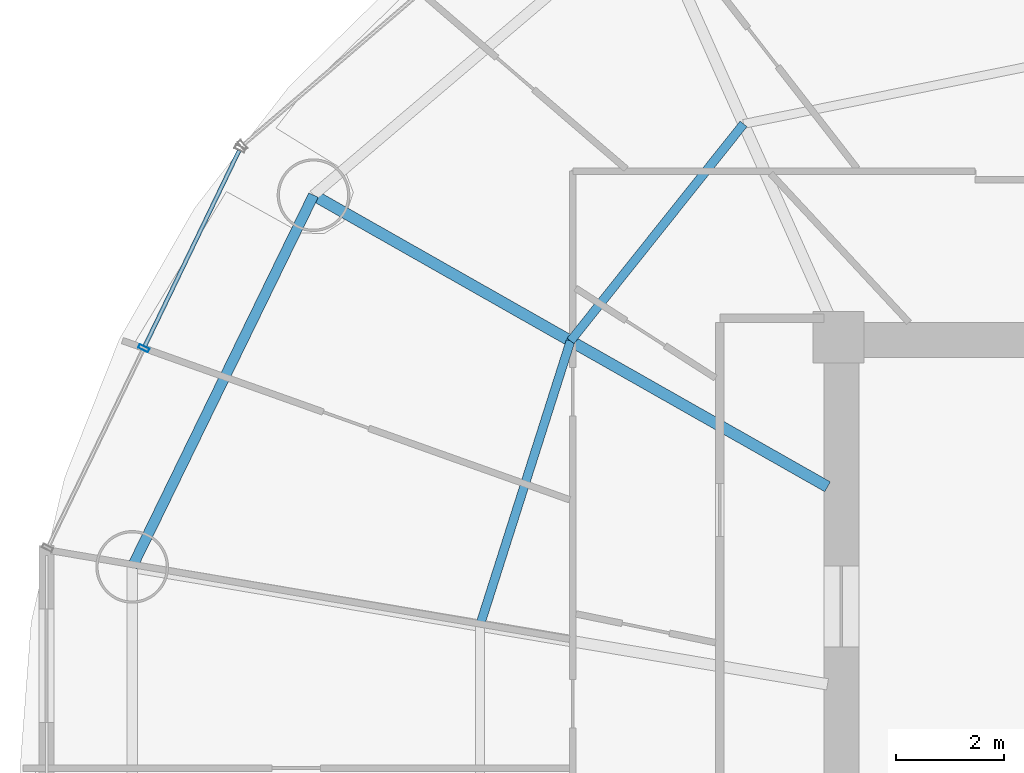
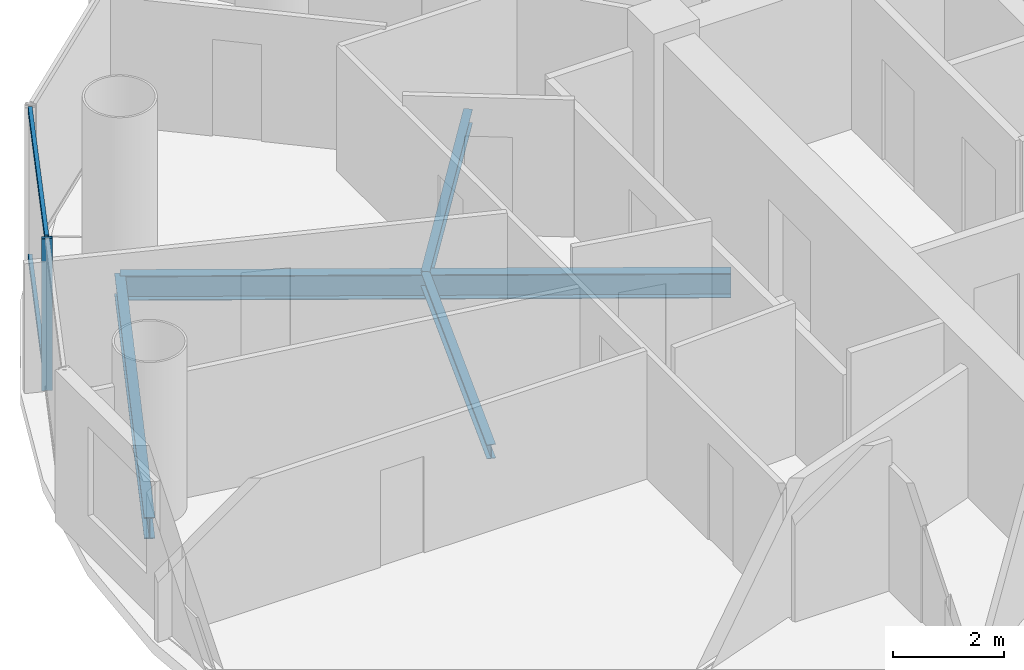
# One storey, part 7 of 27: 4 beams, 3 members, 1 element without a shape of its own.
"""IFC4 building model written with IfcOpenShell, lengths in metres."""

from ifc_helpers import new_model, si_unit, direction, frame, origin, origin_2d, place, context, subcontext, project, spatial, hollow_rectangle, i_section, extrude, source, transform, mapped, material, material_profile, profile_set, type_object, element, aggregate, save


model = new_model("IFC4")

# Units and contexts
model_context = context("Model", 3, precision=1e-05, world=origin(), true_north=direction((-0.2419218956, 0.970295726276)))
body_context = subcontext(model_context, "Body", "Model", "MODEL_VIEW")
ifc_project = project(units=[si_unit("LENGTHUNIT", "METRE"), si_unit("AREAUNIT", "SQUARE_METRE"), si_unit("VOLUMEUNIT", "CUBIC_METRE"), si_unit("PLANEANGLEUNIT", "RADIAN"), si_unit("MASSUNIT", "GRAM", prefix="KILO")], contexts=[model_context])

# Site, building, storey
site_placement = place(None, origin())
site = spatial("IfcSite", under=ifc_project, at=site_placement, CompositionType="ELEMENT")
building_placement = place(site_placement, origin())
building = spatial("IfcBuilding", under=site, at=building_placement, Name="Cobrevalo Terracotta Tower", CompositionType="ELEMENT")
storey_placement = place(building_placement, frame((0.0, 0.0, 153.39990234375)))
storey = spatial("IfcBuildingStorey", under=building, at=storey_placement, Name="L40", CompositionType="ELEMENT", Elevation=153.39990234375)

# Beams
ifc_material_1 = material(Name="Steel S355", Category="steel")
ifc_material_profile_1 = material_profile(ifc_material_1, i_section(OverallWidth=0.2109375, OverallDepth=0.5390625, WebThickness=0.01171875, FlangeThickness=0.018798828125, at=origin_2d()), Name="W 530x109")
ifc_profile_set_1 = profile_set([ifc_material_profile_1], Name="Steel S355")
beam_type_1 = type_object("IfcBeamType", Name="Structural Beam W 530x109 (Steel S355)", PredefinedType="BEAM", material=ifc_profile_set_1)
beam_1_placement = place(storey_placement, frame((19.250244140625, 37.439208984375, -0.539306640625), z_axis=(0.869734177783, -0.493520475762, 0.0), x_axis=(0.493520475762, 0.869734177783, 0.0)))
element("IfcBeam", 1, at=beam_1_placement, inside=storey, type_object=beam_type_1, Name="L40 radial floor girder 07", PredefinedType="BEAM", context=body_context, shape_type="SweptSolid", body=[
    extrude(i_section(OverallWidth=0.2109375, OverallDepth=0.5390625, WebThickness=0.01171875, FlangeThickness=0.018798828125, at=origin_2d()), origin(), (0.0, 0.0, 1.0), 10.974365234375),
])
ifc_material_profile_2 = material_profile(ifc_material_1, i_section(OverallWidth=0.1650390625, OverallDepth=0.31005859375, WebThickness=0.005859375, FlangeThickness=0.009765625, at=origin_2d()), Name="W 310x38.7")
ifc_profile_set_2 = profile_set([ifc_material_profile_2], Name="Steel S355")
beam_type_2 = type_object("IfcBeamType", Name="Structural Joist W 310x38.7 (Steel S355)", PredefinedType="JOIST", material=ifc_profile_set_2)
beam_2_placement = place(storey_placement, frame((27.23583984375, 38.76123046875, -0.4248046875), z_axis=(-0.62340602772, -0.781898282773, 0.0), x_axis=(0.781898282773, -0.62340602772, 0.0)))
element("IfcBeam", 2, at=beam_2_placement, inside=storey, type_object=beam_type_2, Name="L40 circumferential secondary floor joist 06", PredefinedType="JOIST", context=body_context, shape_type="SweptSolid", body=[
    extrude(i_section(OverallWidth=0.1650390625, OverallDepth=0.31005859375, WebThickness=0.005859375, FlangeThickness=0.009765625, at=origin_2d()), origin(), (0.0, 0.0, 1.0), 5.154052734375),
])
beam_3_placement = place(storey_placement, frame((24.022705078125, 34.731201171875, -0.4248046875), z_axis=(-0.303497928386, -0.952832098255, 0.0), x_axis=(0.952832098255, -0.303497928386, 0.0)))
element("IfcBeam", 3, at=beam_3_placement, inside=storey, type_object=beam_type_2, Name="L40 circumferential secondary floor joist 07", PredefinedType="JOIST", context=body_context, shape_type="SweptSolid", body=[
    extrude(i_section(OverallWidth=0.1650390625, OverallDepth=0.31005859375, WebThickness=0.005859375, FlangeThickness=0.009765625, at=origin_2d()), origin(), (0.0, 0.0, 1.0), 5.54736328125),
])
ifc_material_profile_3 = material_profile(ifc_material_1, i_section(OverallWidth=0.194091796875, OverallDepth=0.468994140625, WebThickness=0.011474609375, FlangeThickness=0.0205078125, at=origin_2d()), Name="W 460x106")
ifc_profile_set_3 = profile_set([ifc_material_profile_3], Name="Steel S355")
beam_type_3 = type_object("IfcBeamType", Name="Structural Spandrel W 460x106 (Steel S355)", PredefinedType="SPANDREL", material=ifc_profile_set_3)
beam_4_placement = place(storey_placement, frame((19.250244140625, 37.439208984375, -0.50439453125), z_axis=(-0.438367894028, -0.89879563277, 0.0), x_axis=(0.89879563277, -0.438367894028, 0.0)))
element("IfcBeam", 4, at=beam_4_placement, inside=storey, type_object=beam_type_3, Name="L40 perimeter ring spandrel 07", PredefinedType="SPANDREL", context=body_context, shape_type="SweptSolid", body=[
    extrude(i_section(OverallWidth=0.194091796875, OverallDepth=0.468994140625, WebThickness=0.011474609375, FlangeThickness=0.0205078125, at=origin_2d()), origin(), (0.0, 0.0, 1.0), 7.6806640625),
])

# Curtain wall, members
ifc_material_2 = material(Name="Anodized aluminium", Category="aluminium")
curtain_wall_type = type_object("IfcCurtainWallType", Name="Mid-tower high-wind unitised curtain wall CW-U2", PredefinedType="NOTDEFINED", material=ifc_material_2)
curtain_wall_placement = place(storey_placement, origin())
curtain_wall = element("IfcCurtainWall", 5, at=curtain_wall_placement, inside=storey, type_object=curtain_wall_type, Name="L40 curtain wall CW-L40-S07", PredefinedType="NOTDEFINED")
ifc_material_profile_4 = material_profile(ifc_material_2, hollow_rectangle(XDim=0.074951171875, YDim=0.199951171875, WallThickness=0.0048828125, at=origin_2d()), Name="CWM 75x200")
ifc_profile_set_4 = profile_set([ifc_material_profile_4], Name="Anodized aluminium")
member_type_1 = type_object("IfcMemberType", Name="Lower/mid tower unitised mullion 75x200", PredefinedType="MULLION", material=ifc_profile_set_4)
shared_shape_1 = source(origin(), body_context, "Body", "SweptSolid", [
    extrude(hollow_rectangle(XDim=0.074951171875, YDim=0.199951171875, WallThickness=0.0048828125, at=origin_2d()), origin(), (0.0, 0.0, 1.0), 3.330078125),
])
member_1_placement = place(storey_placement, frame((16.098876953125, 34.595703125, 0.0), z_axis=(0.0, 0.0, 1.0), x_axis=(-0.434209440271, -0.900811945957, 0.0)))
member_1 = element("IfcMember", 6, at=member_1_placement, type_object=member_type_1, Name="CW-L40-S07 vertical mullion 02", PredefinedType="MULLION", context=body_context, shape_type="MappedRepresentation", body=[
    mapped(shared_shape_1, transform((0.0, 0.0, 0.0), scale=1.0)),
])
ifc_material_profile_5 = material_profile(ifc_material_2, hollow_rectangle(XDim=0.074951171875, YDim=0.14990234375, WallThickness=0.00439453125, at=origin_2d()), Name="CWT 75x150")
ifc_profile_set_5 = profile_set([ifc_material_profile_5], Name="Anodized aluminium")
member_type_2 = type_object("IfcMemberType", Name="Tower unitised aluminium transom 75x150", PredefinedType="USERDEFINED", material=ifc_profile_set_5)
shared_shape_2 = source(origin(), body_context, "Body", "SweptSolid", [
    extrude(hollow_rectangle(XDim=0.074951171875, YDim=0.14990234375, WallThickness=0.00439453125, at=origin_2d()), origin(), (0.0, 0.0, 1.0), 4.035888671875),
])
member_2_placement = place(storey_placement, frame((17.86865234375, 38.26708984375, 0.050048828125), z_axis=(-0.434221176581, -0.900806288726, 0.0), x_axis=(0.900806288726, -0.434221176581, 0.0)))
member_2 = element("IfcMember", 7, at=member_2_placement, type_object=member_type_2, Name="CW-L40-S07 transom B01-T1", ObjectType="TRANSOM", PredefinedType="USERDEFINED", context=body_context, shape_type="MappedRepresentation", body=[
    mapped(shared_shape_2, transform((0.0, 0.0, 0.0), scale=1.0)),
])
member_3_placement = place(storey_placement, frame((17.86865234375, 38.26708984375, 3.280029296875), z_axis=(-0.434221176581, -0.900806288726, 0.0), x_axis=(0.900806288726, -0.434221176581, 0.0)))
member_3 = element("IfcMember", 8, at=member_3_placement, type_object=member_type_2, Name="CW-L40-S07 transom B01-T2", ObjectType="TRANSOM", PredefinedType="USERDEFINED", context=body_context, shape_type="MappedRepresentation", body=[
    mapped(shared_shape_2, transform((0.0, 0.0, 0.0), scale=1.0)),
])
aggregate(curtain_wall, [member_1, member_2, member_3])

save(model, "model.ifc")
